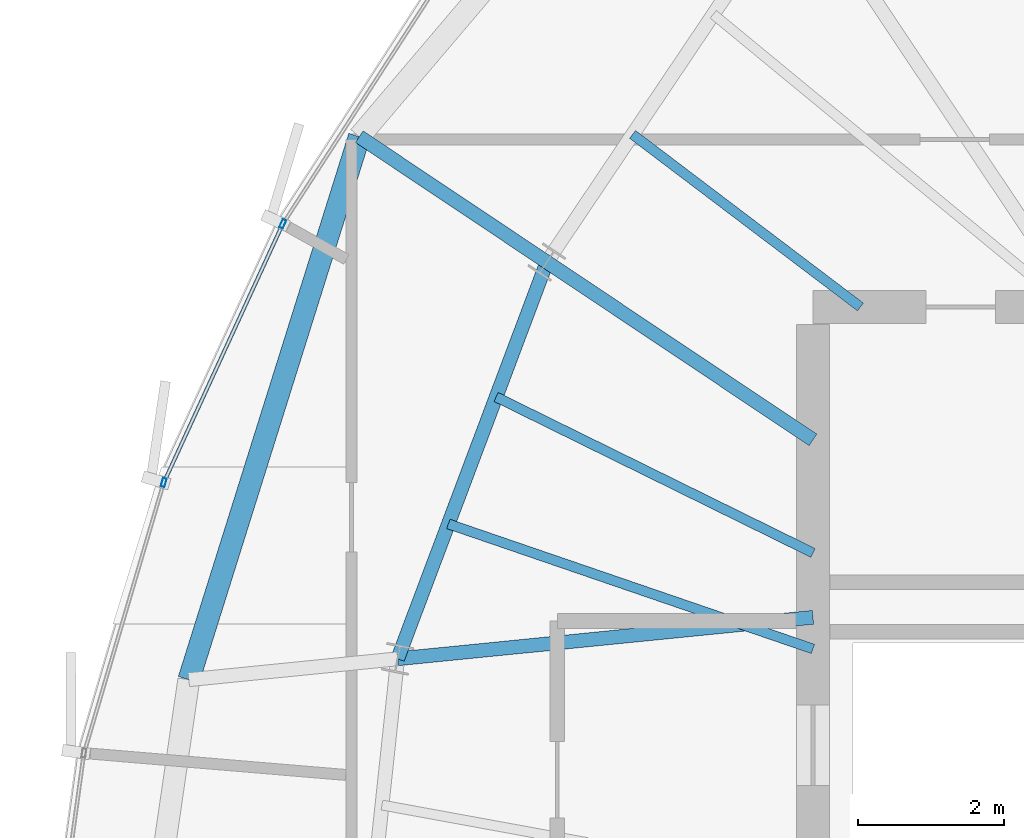
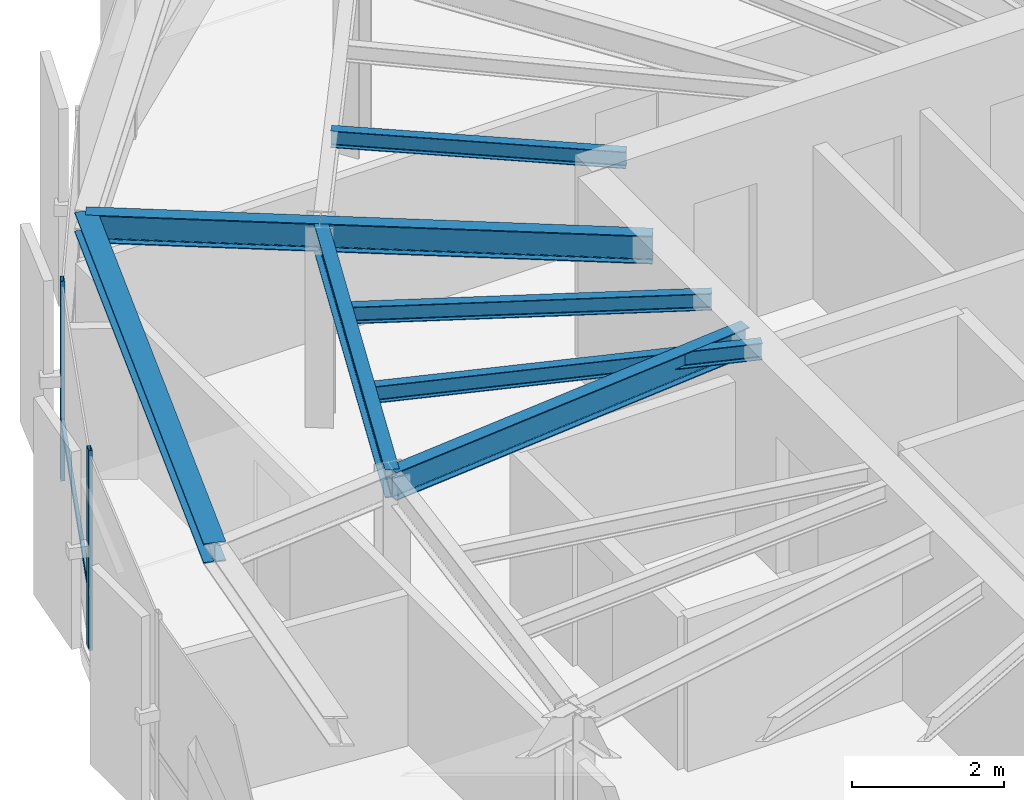
# One storey, part 13 of 32: 8 beams, 3 members, 1 element without a shape of its own.
"""IFC4 building model written with IfcOpenShell, lengths in metres."""

from ifc_helpers import new_model, si_unit, direction, frame, origin, origin_2d, place, context, subcontext, project, spatial, hollow_rectangle, i_section, extrude, source, transform, mapped, material, layer, layer_set, material_profile, profile_set, type_object, element, aggregate, save


model = new_model("IFC4")

# Units and contexts
model_context = context("Model", 3, precision=1e-05, world=origin(), true_north=direction((0.0, 1.0)))
body_context = subcontext(model_context, "Body", "Model", "MODEL_VIEW")
ifc_project = project(units=[si_unit("LENGTHUNIT", "METRE"), si_unit("AREAUNIT", "SQUARE_METRE"), si_unit("VOLUMEUNIT", "CUBIC_METRE"), si_unit("PLANEANGLEUNIT", "RADIAN"), si_unit("MASSUNIT", "GRAM", prefix="KILO"), si_unit("THERMODYNAMICTEMPERATUREUNIT", "KELVIN")], contexts=[model_context])

# Site, building, storey
site_placement = place(None, origin())
site = spatial("IfcSite", under=ifc_project, at=site_placement, CompositionType="ELEMENT")
building_placement = place(site_placement, origin())
building = spatial("IfcBuilding", under=site, at=building_placement, Name="Kethvar Cultural Tower", CompositionType="ELEMENT")
storey_placement = place(building_placement, frame((0.0, 0.0, 280.14990234375)))
storey = spatial("IfcBuildingStorey", under=building, at=storey_placement, Name="L74", CompositionType="ELEMENT", Elevation=280.14990234375)

# Beams
ifc_material_1 = material(Name="Steel S355J2", Category="steel")
ifc_material_profile_1 = material_profile(ifc_material_1, i_section(OverallWidth=0.18994140625, OverallDepth=0.449951171875, WebThickness=0.009521484375, FlangeThickness=0.0146484375, FilletRadius=0.02099609375, at=origin_2d()), Name="Steel S355J2 — IPE450")
ifc_profile_set_1 = profile_set([ifc_material_profile_1], Name="Steel S355J2 — IPE450")
beam_type_1 = type_object("IfcBeamType", Name="BM-IPE450", PredefinedType="BEAM", material=ifc_profile_set_1)
shared_shape_1 = source(origin(), body_context, "Body", "SweptSolid", [
    extrude(i_section(OverallWidth=0.18994140625, OverallDepth=0.449951171875, WebThickness=0.009521484375, FlangeThickness=0.0146484375, FilletRadius=0.02099609375, at=origin_2d()), origin(), (0.0, 0.0, 1.0), 4.3828125),
])
beam_1_placement = place(storey_placement, frame((38.0, 33.679931640625, 2.983154296875), z_axis=(-0.831449909861, 0.555599718676, 0.0), x_axis=(-0.555599718676, -0.831449909861, 0.0)))
element("IfcBeam", 1, at=beam_1_placement, inside=storey, type_object=beam_type_1, Name="L74 Primary Radial Beam RB-07", PredefinedType="BEAM", context=body_context, shape_type="MappedRepresentation", body=[
    mapped(shared_shape_1, transform((0.0, 0.0, 0.0), scale=1.0)),
])
shared_shape_2 = source(origin(), body_context, "Body", "SweptSolid", [
    extrude(i_section(OverallWidth=0.18994140625, OverallDepth=0.449951171875, WebThickness=0.009521484375, FlangeThickness=0.0146484375, FilletRadius=0.02099609375, at=origin_2d()), origin(), (0.0, 0.0, 1.0), 5.7158203125),
])
beam_2_placement = place(storey_placement, frame((38.0, 31.25, 2.983154296875), z_axis=(-0.995048179628, -0.099393763478, 0.0), x_axis=(0.099393763478, -0.995048179628, 0.0)))
element("IfcBeam", 2, at=beam_2_placement, inside=storey, type_object=beam_type_1, Name="L74 Primary Radial Beam RB-08", PredefinedType="BEAM", context=body_context, shape_type="MappedRepresentation", body=[
    mapped(shared_shape_2, transform((0.0, 0.0, 0.0), scale=1.0)),
])
ifc_material_profile_2 = material_profile(ifc_material_1, i_section(OverallWidth=0.135009765625, OverallDepth=0.27001953125, WebThickness=0.006591796875, FlangeThickness=0.01025390625, FilletRadius=0.014892578125, at=origin_2d()), Name="Steel S355J2 — IPE270")
ifc_profile_set_2 = profile_set([ifc_material_profile_2], Name="Steel S355J2 — IPE270")
beam_type_2 = type_object("IfcBeamType", Name="BM-J270", PredefinedType="JOIST", material=ifc_profile_set_2)
shared_shape_3 = source(origin(), body_context, "Body", "SweptSolid", [
    extrude(i_section(OverallWidth=0.135009765625, OverallDepth=0.27001953125, WebThickness=0.006591796875, FlangeThickness=0.01025390625, FilletRadius=0.014892578125, at=origin_2d()), origin(), (0.0, 0.0, 1.0), 3.91357421875),
])
beam_3_placement = place(storey_placement, frame((38.64990234375, 35.5, 3.072998046875), z_axis=(-0.797214062325, 0.603696727531, 0.0), x_axis=(-0.603696727531, -0.797214062325, 0.0)))
element("IfcBeam", 3, at=beam_3_placement, inside=storey, type_object=beam_type_2, Name="L74 Composite Floor Joist J-06B", PredefinedType="JOIST", context=body_context, shape_type="MappedRepresentation", body=[
    mapped(shared_shape_3, transform((0.0, 0.0, 0.0), scale=1.0)),
])
shared_shape_4 = source(origin(), body_context, "Body", "SweptSolid", [
    extrude(i_section(OverallWidth=0.18994140625, OverallDepth=0.449951171875, WebThickness=0.009521484375, FlangeThickness=0.0146484375, FilletRadius=0.02099609375, at=origin_2d()), origin(), (0.0, 0.0, 1.0), 5.8046875),
])
beam_4_placement = place(storey_placement, frame((34.35595703125, 36.114990234375, 2.983154296875), z_axis=(-0.352035902861, -0.935986497283, 0.0), x_axis=(0.935986497283, -0.352035902861, 0.0)))
element("IfcBeam", 4, at=beam_4_placement, inside=storey, type_object=beam_type_1, Name="L74 Column Ring Tie Beam CR-07", PredefinedType="BEAM", context=body_context, shape_type="MappedRepresentation", body=[
    mapped(shared_shape_4, transform((0.0, 0.0, 0.0), scale=1.0)),
])
shared_shape_5 = source(origin(), body_context, "Body", "SweptSolid", [
    extrude(i_section(OverallWidth=0.135009765625, OverallDepth=0.27001953125, WebThickness=0.006591796875, FlangeThickness=0.01025390625, FilletRadius=0.014892578125, at=origin_2d()), origin(), (0.0, 0.0, 1.0), 4.8359375),
])
beam_5_placement = place(storey_placement, frame((38.0, 32.1318359375, 3.072998046875), z_axis=(-0.897196527088, 0.441631511308, 0.0), x_axis=(-0.441631511308, -0.897196527088, 0.0)))
element("IfcBeam", 5, at=beam_5_placement, inside=storey, type_object=beam_type_2, Name="L74 Composite Floor Joist J-07A", PredefinedType="JOIST", context=body_context, shape_type="MappedRepresentation", body=[
    mapped(shared_shape_5, transform((0.0, 0.0, 0.0), scale=1.0)),
])
shared_shape_6 = source(origin(), body_context, "Body", "SweptSolid", [
    extrude(i_section(OverallWidth=0.135009765625, OverallDepth=0.27001953125, WebThickness=0.006591796875, FlangeThickness=0.01025390625, FilletRadius=0.014892578125, at=origin_2d()), origin(), (0.0, 0.0, 1.0), 5.2783203125),
])
beam_6_placement = place(storey_placement, frame((38.0, 30.817138671875, 3.072998046875), z_axis=(-0.945942702368, 0.324333784607, 0.0), x_axis=(-0.324333784607, -0.945942702368, 0.0)))
element("IfcBeam", 6, at=beam_6_placement, inside=storey, type_object=beam_type_2, Name="L74 Composite Floor Joist J-07B", PredefinedType="JOIST", context=body_context, shape_type="MappedRepresentation", body=[
    mapped(shared_shape_6, transform((0.0, 0.0, 0.0), scale=1.0)),
])
ifc_material_profile_3 = material_profile(ifc_material_1, i_section(OverallWidth=0.300048828125, OverallDepth=0.320068359375, WebThickness=0.011474609375, FlangeThickness=0.0205078125, FilletRadius=0.027099609375, at=origin_2d()), Name="Steel S355J2 — HEB320")
ifc_profile_set_3 = profile_set([ifc_material_profile_3], Name="Steel S355J2 — HEB320")
beam_type_3 = type_object("IfcBeamType", Name="BM-SP320", PredefinedType="SPANDREL", material=ifc_profile_set_3)
shared_shape_7 = source(origin(), body_context, "Body", "SweptSolid", [
    extrude(i_section(OverallWidth=0.300048828125, OverallDepth=0.320068359375, WebThickness=0.011474609375, FlangeThickness=0.0205078125, FilletRadius=0.027099609375, at=origin_2d()), origin(), (0.0, 0.0, 1.0), 7.79296875),
])
beam_7_placement = place(storey_placement, frame((31.786865234375, 37.83154296875, 3.048095703125), z_axis=(-0.299468137762, -0.954106301449, 0.0), x_axis=(0.954106301449, -0.299468137762, 0.0)))
element("IfcBeam", 7, at=beam_7_placement, inside=storey, type_object=beam_type_3, Name="L74 Perimeter Spandrel Beam SP-07", PredefinedType="SPANDREL", context=body_context, shape_type="MappedRepresentation", body=[
    mapped(shared_shape_7, transform((0.0, 0.0, 0.0), scale=1.0)),
])
shared_shape_8 = source(origin(), body_context, "Body", "SweptSolid", [
    extrude(i_section(OverallWidth=0.18994140625, OverallDepth=0.449951171875, WebThickness=0.009521484375, FlangeThickness=0.0146484375, FilletRadius=0.02099609375, at=origin_2d()), origin(), (0.0, 0.0, 1.0), 3.08984375),
])
beam_8_placement = place(storey_placement, frame((34.35595703125, 36.114990234375, 2.983154296875), z_axis=(-0.831478511226, 0.555556914609, 0.0), x_axis=(-0.555556914609, -0.831478511226, 0.0)))
element("IfcBeam", 8, at=beam_8_placement, inside=storey, type_object=beam_type_1, Name="L74 Perimeter Cantilever Beam RC-07", PredefinedType="BEAM", context=body_context, shape_type="MappedRepresentation", body=[
    mapped(shared_shape_8, transform((0.0, 0.0, 0.0), scale=1.0)),
])

# Curtain wall, members
ifc_material_2 = material(Name="Aluminium 6063-T6", Category="aluminium")
ifc_layer = layer(ifc_material_2, 0.179931640625, Name="Aluminium 6063-T6", Category="aluminium")
ifc_layer_set = layer_set([ifc_layer], Name="Aluminium 6063-T6 (180 mm)")
curtain_wall_type = type_object("IfcCurtainWallType", Name="CW-SYS-05-Z56", PredefinedType="NOTDEFINED", material=ifc_layer_set)
curtain_wall_placement = place(storey_placement, origin())
curtain_wall = element("IfcCurtainWall", 9, at=curtain_wall_placement, inside=storey, type_object=curtain_wall_type, Name="L74 Curtain Wall Run 02", PredefinedType="NOTDEFINED")
ifc_material_profile_4 = material_profile(ifc_material_2, hollow_rectangle(XDim=0.054931640625, YDim=0.1201171875, WallThickness=0.00390625, at=origin_2d()), Name="Aluminium 6063-T6 — RHS120x55x4")
ifc_profile_set_4 = profile_set([ifc_material_profile_4], Name="Aluminium 6063-T6 — RHS120x55x4")
member_type_1 = type_object("IfcMemberType", Name="CW-SYS-05-Z56-MUL", PredefinedType="MULLION", material=ifc_profile_set_4)
shared_shape_9 = source(origin(), body_context, "Body", "SweptSolid", [
    extrude(hollow_rectangle(XDim=0.054931640625, YDim=0.1201171875, WallThickness=0.00390625, at=origin_2d()), origin(), (0.0, 0.0, 1.0), 3.210205078125),
])
member_1_placement = place(storey_placement, frame((30.739990234375, 36.63720703125, 0.0), z_axis=(0.0, 0.0, 1.0), x_axis=(0.908522763286, -0.417835360629, 0.0)))
member_1 = element("IfcMember", 10, at=member_1_placement, type_object=member_type_1, Name="CW-L74-R02 Mullion 4", PredefinedType="MULLION", context=body_context, shape_type="MappedRepresentation", body=[
    mapped(shared_shape_9, transform((0.0, 0.0, 0.0), scale=1.0)),
])
member_2_placement = place(storey_placement, frame((29.109619140625, 33.0947265625, 0.0), z_axis=(0.0, 0.0, 1.0), x_axis=(0.959259751192, -0.2825256267, 0.0)))
member_2 = element("IfcMember", 11, at=member_2_placement, type_object=member_type_1, Name="CW-L74-R02 Mullion 5", PredefinedType="MULLION", context=body_context, shape_type="MappedRepresentation", body=[
    mapped(shared_shape_9, transform((0.0, 0.0, 0.0), scale=1.0)),
])
ifc_material_profile_5 = material_profile(ifc_material_2, hollow_rectangle(XDim=0.050048828125, YDim=0.10009765625, WallThickness=0.00390625, at=origin_2d()), Name="Aluminium 6063-T6 — RHS100x50x4")
ifc_profile_set_5 = profile_set([ifc_material_profile_5], Name="Aluminium 6063-T6 — RHS100x50x4")
member_type_2 = type_object("IfcMemberType", Name="CW-SYS-05-Z56-TRN", PredefinedType="USERDEFINED", material=ifc_profile_set_5)
shared_shape_10 = source(origin(), body_context, "Body", "SweptSolid", [
    extrude(hollow_rectangle(XDim=0.050048828125, YDim=0.10009765625, WallThickness=0.00390625, at=origin_2d()), origin(), (0.0, 0.0, 1.0), 3.8349609375),
])
member_3_placement = place(storey_placement, frame((30.723388671875, 36.601318359375, 0.9501953125), z_axis=(-0.417818382715, -0.908530571343, 0.0), x_axis=(0.908530571343, -0.417818382715, 0.0)))
member_3 = element("IfcMember", 12, at=member_3_placement, type_object=member_type_2, Name="CW-L74-R02 Transom 4", ObjectType="TRANSOM", PredefinedType="USERDEFINED", context=body_context, shape_type="MappedRepresentation", body=[
    mapped(shared_shape_10, transform((0.0, 0.0, 0.0), scale=1.0)),
])
aggregate(curtain_wall, [member_1, member_2, member_3])

save(model, "model.ifc")
